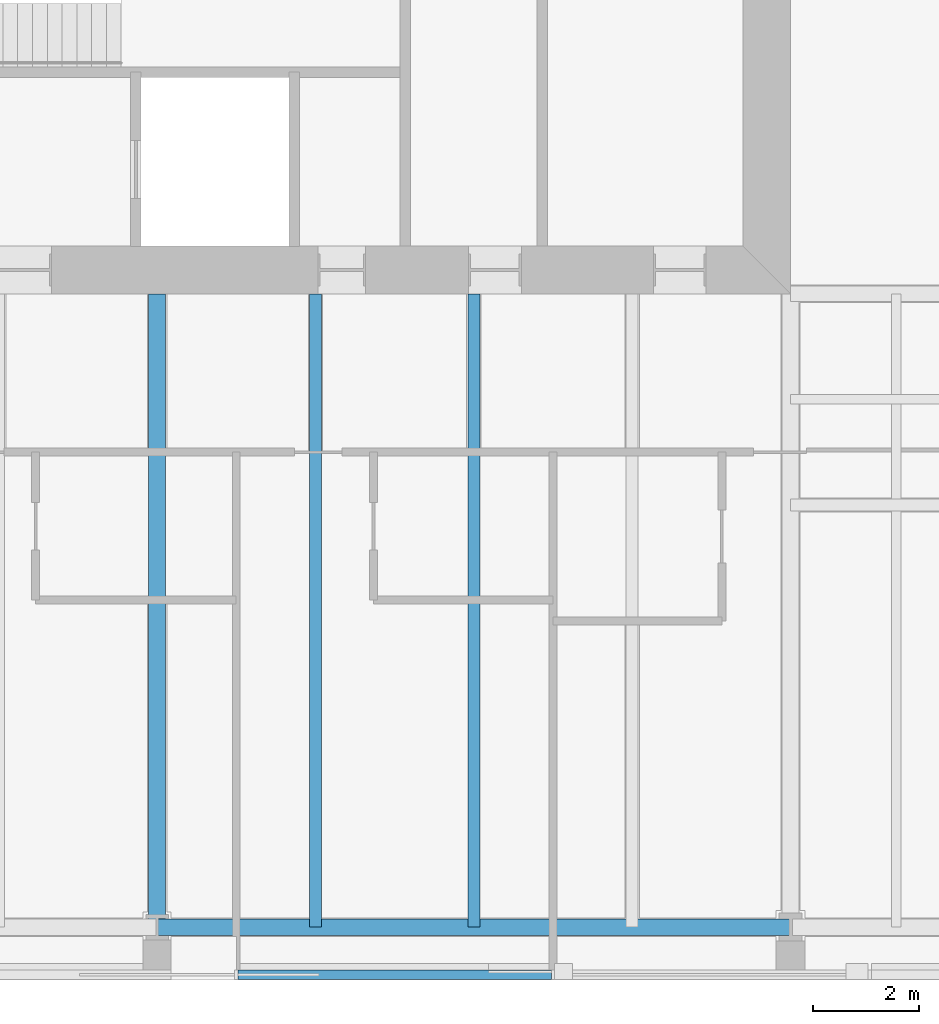
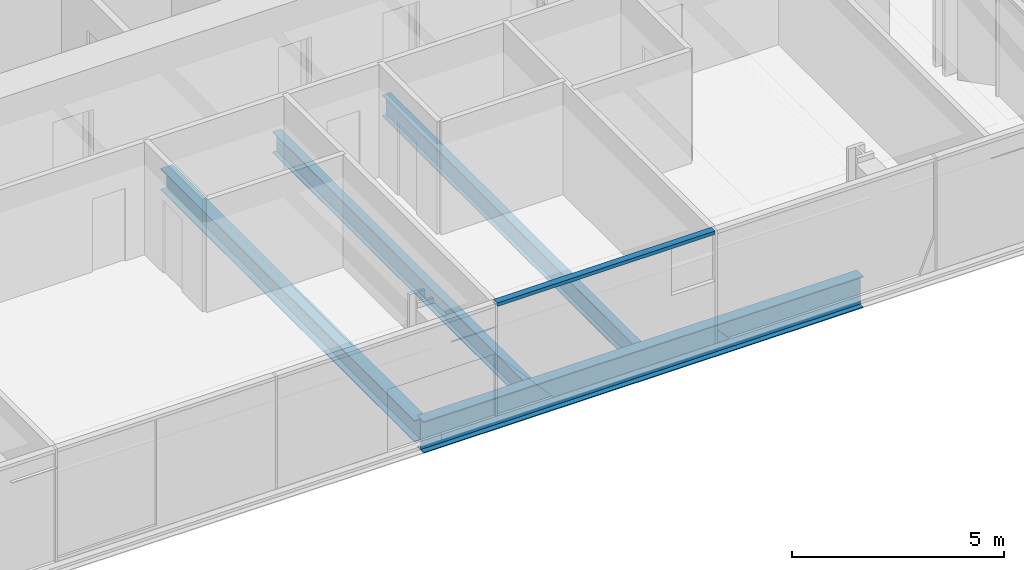
# One storey, part 3 of 20: 4 beams, 1 member, 1 element without a shape of its own.
"""IFC4 building model written with IfcOpenShell, lengths in metres."""

from ifc_helpers import new_model, si_unit, direction, frame, origin, origin_2d, place, context, subcontext, project, spatial, rectangle, i_section, extrude, material, material_profile, profile_set, type_object, element, aggregate, save


model = new_model("IFC4")

# Units and contexts
model_context = context("Model", 3, precision=1e-05, world=origin(), true_north=direction((0.0, 1.0)))
body_context = subcontext(model_context, "Body", "Model", "MODEL_VIEW")
ifc_project = project(units=[si_unit("LENGTHUNIT", "METRE"), si_unit("AREAUNIT", "SQUARE_METRE"), si_unit("VOLUMEUNIT", "CUBIC_METRE"), si_unit("PLANEANGLEUNIT", "RADIAN"), si_unit("MASSUNIT", "GRAM", prefix="KILO")], contexts=[model_context])

# Site, building, storey
site_placement = place(None, origin())
site = spatial("IfcSite", under=ifc_project, at=site_placement, CompositionType="ELEMENT")
building_placement = place(site_placement, origin())
building = spatial("IfcBuilding", under=site, at=building_placement, Name="Fenwick Lantern Interchange", CompositionType="ELEMENT")
storey_placement = place(building_placement, frame((0.0, 0.0, 276.39990234375)))
storey = spatial("IfcBuildingStorey", under=building, at=storey_placement, Name="L66", CompositionType="ELEMENT", Elevation=276.39990234375)

# Beams
ifc_material_1 = material(Name="Steel ASTM A992 Grade 50", Category="steel")
ifc_material_profile_1 = material_profile(ifc_material_1, i_section(OverallWidth=0.3046875, OverallDepth=0.911865234375, WebThickness=0.015869140625, FlangeThickness=0.02392578125, at=origin_2d()), Name="W36X150")
ifc_profile_set_1 = profile_set([ifc_material_profile_1], Name="Steel ASTM A992 Grade 50")
beam_type_1 = type_object("IfcBeamType", Name="EDGE BEAM W36X150", PredefinedType="SPANDREL", material=ifc_profile_set_1)
beam_1_placement = place(storey_placement, frame((25.0, 1.0, -0.605712890625), z_axis=(1.0, 0.0, 0.0), x_axis=(0.0, 1.0, 0.0)))
element("IfcBeam", 1, at=beam_1_placement, inside=storey, type_object=beam_type_1, Name="L66/FR/S/EB3", PredefinedType="SPANDREL", context=body_context, shape_type="SweptSolid", body=[
    extrude(i_section(OverallWidth=0.3046875, OverallDepth=0.911865234375, WebThickness=0.015869140625, FlangeThickness=0.02392578125, at=origin_2d()), origin(), (0.0, 0.0, 1.0), 12.0),
])
ifc_material_profile_2 = material_profile(ifc_material_1, i_section(OverallWidth=0.22900390625, OverallDepth=0.612060546875, WebThickness=0.011962890625, FlangeThickness=0.01953125, at=origin_2d()), Name="W24X84")
ifc_profile_set_2 = profile_set([ifc_material_profile_2], Name="Steel ASTM A992 Grade 50")
beam_type_2 = type_object("IfcBeamType", Name="FLOOR BEAM W24X84", PredefinedType="BEAM", material=ifc_profile_set_2)
for number, where, z_axis, x_axis, name in (
    (2, (28.0, 1.0, -0.4560546875), (0.0, 1.0, 0.0), (-1.0, 0.0, 0.0), "L66/FR/S/R06"),
    (3, (31.0, 1.0, -0.4560546875), (0.0, 1.0, 0.0), (-1.0, 0.0, 0.0), "L66/FR/S/R07"),
):
    element("IfcBeam", number, at=place(storey_placement, frame(where, z_axis=z_axis, x_axis=x_axis)), inside=storey, type_object=beam_type_2, Name=name, PredefinedType="BEAM", context=body_context, shape_type="SweptSolid", body=[
        extrude(i_section(OverallWidth=0.22900390625, OverallDepth=0.612060546875, WebThickness=0.011962890625, FlangeThickness=0.01953125, at=origin_2d()), origin(), (0.0, 0.0, 1.0), 12.0),
    ])

# Curtain wall, member
ifc_material_2 = material(Name="Aluminium curtain wall frame", Category="aluminium")
curtain_wall_type = type_object("IfcCurtainWallType", Name="HOTEL CURTAIN WALL", PredefinedType="USERDEFINED", material=ifc_material_2)
curtain_wall_placement = place(storey_placement, origin())
curtain_wall = element("IfcCurtainWall", 4, at=curtain_wall_placement, inside=storey, type_object=curtain_wall_type, Name="Hotel curtain wall 01", ObjectType="HOTEL CURTAIN WALL", PredefinedType="USERDEFINED")
ifc_material_3 = material(Name="Aluminium extrusion", Category="aluminium")
ifc_material_profile_3 = material_profile(ifc_material_3, rectangle(XDim=0.179931640625, YDim=0.10009765625, at=origin_2d()), Name="HOTEL CURTAIN WALL TRANSOM 100 X 180")
ifc_profile_set_3 = profile_set([ifc_material_profile_3], Name="Aluminium extrusion")
member_type = type_object("IfcMemberType", Name="HOTEL CURTAIN WALL TRANSOM 100 X 180", PredefinedType="MULLION", material=ifc_profile_set_3)
member_placement = place(storey_placement, frame((26.530029296875, 0.10009765625, 3.2001953125), z_axis=(1.0, 0.0, 0.0), x_axis=(0.0, 1.0, 0.0)))
member = element("IfcMember", 5, at=member_placement, type_object=member_type, Name="L66/CW/01/T04", PredefinedType="MULLION", context=body_context, shape_type="SweptSolid", body=[
    extrude(rectangle(XDim=0.179931640625, YDim=0.10009765625, at=origin_2d()), origin(), (0.0, 0.0, 1.0), 5.93994140625),
])
aggregate(curtain_wall, [member])

# Beam
ifc_material_profile_4 = material_profile(ifc_material_1, i_section(OverallWidth=0.32763671875, OverallDepth=0.622314453125, WebThickness=0.015380859375, FlangeThickness=0.0244140625, at=origin_2d()), Name="W24X131")
ifc_profile_set_4 = profile_set([ifc_material_profile_4], Name="Steel ASTM A992 Grade 50")
beam_type_3 = type_object("IfcBeamType", Name="MOMENT-CONNECTED GIRDER W24X131", PredefinedType="BEAM", material=ifc_profile_set_4)
beam_2_placement = place(storey_placement, frame((25.0, 1.0, -0.4609375), z_axis=(0.0, 1.0, 0.0), x_axis=(-1.0, 0.0, 0.0)))
element("IfcBeam", 6, at=beam_2_placement, inside=storey, type_object=beam_type_3, Name="L66/FR/S/R05", PredefinedType="BEAM", context=body_context, shape_type="SweptSolid", body=[
    extrude(i_section(OverallWidth=0.32763671875, OverallDepth=0.622314453125, WebThickness=0.015380859375, FlangeThickness=0.0244140625, at=origin_2d()), origin(), (0.0, 0.0, 1.0), 12.0),
])

save(model, "model.ifc")
